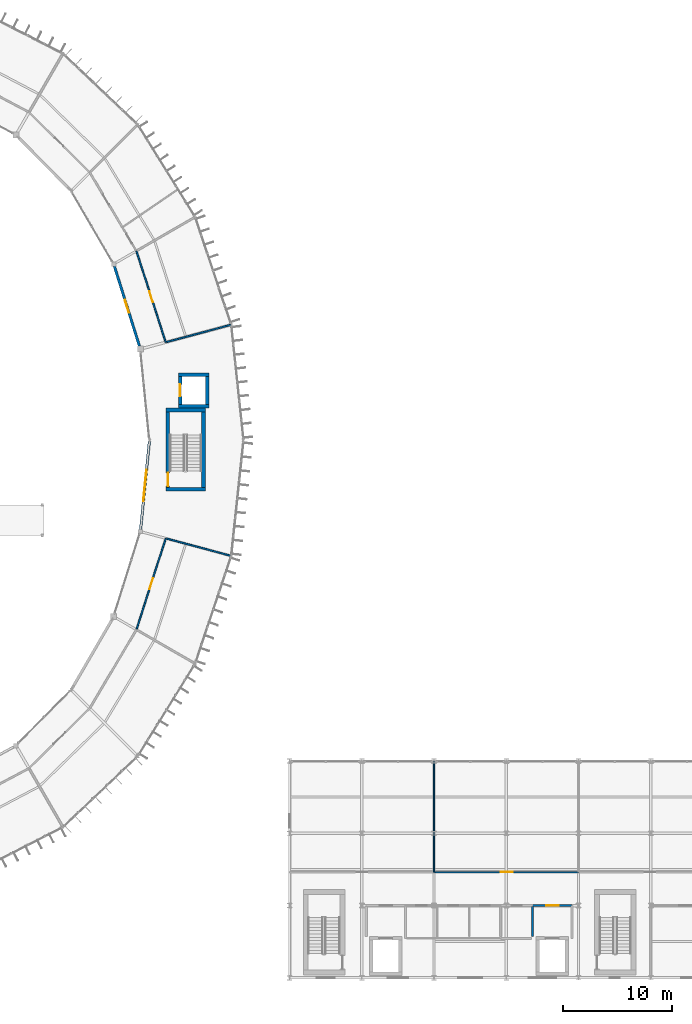
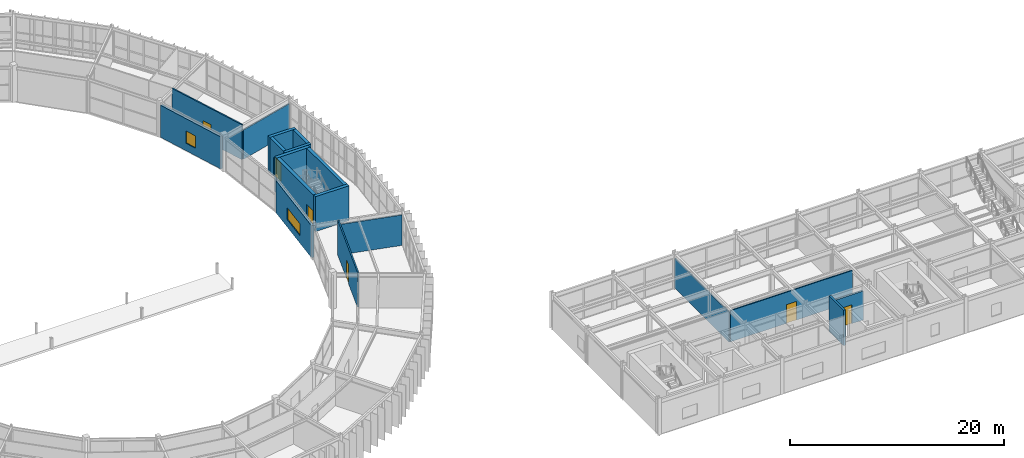
# One storey, part 140 of 157: 18 walls, 6 doors, 2 windows, 8 openings.
"""IFC4 building model written with IfcOpenShell, lengths in metres."""

from ifc_helpers import new_model, si_unit, direction, frame, frame_2d, origin, place, context, subcontext, project, spatial, rectangle, extrude, material, layer, layer_set, type_object, element, fill, save


model = new_model("IFC4")

# Units and contexts
model_context = context("Model", 3, precision=1e-05, world=origin(), true_north=direction((0.0, 1.0)))
body_context = subcontext(model_context, "Body", "Model", "MODEL_VIEW")
ifc_project = project(units=[si_unit("LENGTHUNIT", "METRE"), si_unit("AREAUNIT", "SQUARE_METRE"), si_unit("VOLUMEUNIT", "CUBIC_METRE"), si_unit("PLANEANGLEUNIT", "RADIAN"), si_unit("MASSUNIT", "GRAM", prefix="KILO")], contexts=[model_context])

# Site, building, storey
site_placement = place(None, origin())
site = spatial("IfcSite", under=ifc_project, at=site_placement, CompositionType="ELEMENT")
building_placement = place(site_placement, origin())
building = spatial("IfcBuilding", under=site, at=building_placement, Name="Karori Crest Natural Sciences Institute", CompositionType="ELEMENT")
storey_placement = place(building_placement, frame((0.0, 0.0, 13.300048828125)))
storey = spatial("IfcBuildingStorey", under=building, at=storey_placement, Name="L03", CompositionType="ELEMENT", Elevation=13.300048828125)

# Walls
ifc_material_1 = material(Name="Concrete 50 MPa", Category="concrete")
ifc_layer_1 = layer(ifc_material_1, 0.35009765625, Name="Concrete 50 MPa")
ifc_layer_set_1 = layer_set([ifc_layer_1], Name="Concrete 50 MPa")
wall_type_1 = type_object("IfcWallType", Name="IWT-02", PredefinedType="SHEAR", material=ifc_layer_set_1)
for number, where, z_axis, x_axis, name in (
    (1, (92.300048828125, 45.425048828125, 0.0), (0.0, 0.0, 1.0), (1.0, 0.0, 0.0), "Shear wall IW-0017"),
    (2, (92.300048828125, 52.675048828125, 0.0), (0.0, 0.0, 1.0), (1.0, 0.0, 0.0), "Shear wall IW-0018"),
):
    element("IfcWall", number, at=place(storey_placement, frame(where, z_axis=z_axis, x_axis=x_axis)), inside=storey, type_object=wall_type_1, Name=name, PredefinedType="SHEAR", context=body_context, shape_type="SweptSolid", body=[
        extrude(rectangle(XDim=3.599853515625, YDim=0.35009765625, at=frame_2d((1.7998046875, 0.0))), origin(), (0.0, 0.0, 1.0), 3.97998046875),
    ])

# Wall, opening, door
wall_1_placement = place(storey_placement, frame((92.47509765625, 45.60205078125, 0.0), z_axis=(0.0, 0.0, 1.0), x_axis=(0.0, 1.0, 0.0)))
wall_1 = element("IfcWall", 3, at=wall_1_placement, inside=storey, type_object=wall_type_1, Name="Shear wall IW-0019", PredefinedType="SHEAR", context=body_context, shape_type="SweptSolid", body=[
    extrude(rectangle(XDim=6.89599609375, YDim=0.35009765625, at=frame_2d((3.447998046875, 0.0))), origin(), (0.0, 0.0, 1.0), 3.97998046875),
])
opening_1_placement = place(wall_1_placement, frame((0.1201171875, 0.0, 0.0)))
opening_1 = element("IfcOpeningElement", 4, at=opening_1_placement, cuts=wall_1, Name="Opening ID-0005", PredefinedType="OPENING", context=body_context, shape_type="SweptSolid", body=[
    extrude(rectangle(XDim=1.199951171875, YDim=2.14990234375, at=frame_2d((0.60009765625, 1.074951171875))), frame((0.0, 0.18505859375, 0.0), z_axis=(0.0, -1.0, 0.0), x_axis=(1.0, 0.0, 0.0)), (0.0, 0.0, 1.0), 0.3701171875),
])
ifc_material_2 = material(Name="Stainless steel 316 and fire-rated timber", Category="steel")
door_type_1 = type_object("IfcDoorType", Name="IDT-01", OperationType="NOTDEFINED", PredefinedType="DOOR", material=ifc_material_2)
door_1_placement = place(opening_1_placement, origin())
door_1 = element("IfcDoor", 5, at=door_1_placement, inside=storey, type_object=door_type_1, Name="Stair ST-01 fire door ID-0005", OperationType="SINGLE_SWING_LEFT", OverallHeight=2.14990234375, OverallWidth=1.199951171875, PredefinedType="DOOR", context=body_context, shape_type="SweptSolid", body=[
    extrude(rectangle(XDim=1.199951171875, YDim=2.14990234375, at=frame_2d((0.60009765625, 1.074951171875))), frame((0.0, 0.02490234375, 0.0), z_axis=(0.0, -1.0, 0.0), x_axis=(1.0, 0.0, 0.0)), (0.0, 0.0, 1.0), 0.050048828125),
])
fill(opening_1, door_1)

# Walls
wall_2_placement = place(storey_placement, frame((95.72509765625, 45.60205078125, 0.0), z_axis=(0.0, 0.0, 1.0), x_axis=(0.0, 1.0, 0.0)))
element("IfcWall", 6, at=wall_2_placement, inside=storey, type_object=wall_type_1, Name="Shear wall IW-0020", PredefinedType="SHEAR", context=body_context, shape_type="SweptSolid", body=[
    extrude(rectangle(XDim=6.89599609375, YDim=0.35009765625, at=frame_2d((3.447998046875, 0.0))), origin(), (0.0, 0.0, 1.0), 3.97998046875),
])
ifc_layer_2 = layer(ifc_material_1, 0.320068359375, Name="Concrete 50 MPa")
ifc_layer_set_2 = layer_set([ifc_layer_2], Name="Concrete 50 MPa")
wall_type_2 = type_object("IfcWallType", Name="IWT-03", PredefinedType="SHEAR", material=ifc_layer_set_2)
for number, where, z_axis, x_axis, name in (
    (7, (93.445068359375, 53.030029296875, 0.0), (0.0, 0.0, 1.0), (1.0, 0.0, 0.0), "Shear wall IW-0417"),
    (8, (93.445068359375, 55.89501953125, 0.0), (0.0, 0.0, 1.0), (1.0, 0.0, 0.0), "Shear wall IW-0418"),
):
    element("IfcWall", number, at=place(storey_placement, frame(where, z_axis=z_axis, x_axis=x_axis)), inside=storey, type_object=wall_type_2, Name=name, PredefinedType="SHEAR", context=body_context, shape_type="SweptSolid", body=[
        extrude(rectangle(XDim=2.809814453125, YDim=0.320068359375, at=frame_2d((1.40478515625, 0.0))), origin(), (0.0, 0.0, 1.0), 3.97998046875),
    ])

# Wall, opening, door
wall_3_placement = place(storey_placement, frame((93.60498046875, 53.19189453125, 0.0), z_axis=(0.0, 0.0, 1.0), x_axis=(0.0, 1.0, 0.0)))
wall_3 = element("IfcWall", 9, at=wall_3_placement, inside=storey, type_object=wall_type_2, Name="Shear wall IW-0419", PredefinedType="SHEAR", context=body_context, shape_type="SweptSolid", body=[
    extrude(rectangle(XDim=2.541015625, YDim=0.320068359375, at=frame_2d((1.2705078125, 0.0))), origin(), (0.0, 0.0, 1.0), 3.97998046875),
])
opening_2_placement = place(wall_3_placement, frame((0.720458984375, 0.0, 0.0)))
opening_2 = element("IfcOpeningElement", 10, at=opening_2_placement, cuts=wall_3, Name="Opening LD-0029", PredefinedType="OPENING", context=body_context, shape_type="SweptSolid", body=[
    extrude(rectangle(XDim=1.10009765625, YDim=2.14990234375, at=frame_2d((0.550048828125, 1.074951171875))), frame((0.0, 0.169921875, 0.0), z_axis=(0.0, -1.0, 0.0), x_axis=(1.0, 0.0, 0.0)), (0.0, 0.0, 1.0), 0.340087890625),
])
door_type_2 = type_object("IfcDoorType", Name="LDT-01", OperationType="SLIDING_TO_LEFT", PredefinedType="DOOR", material=ifc_material_2)
door_2_placement = place(opening_2_placement, origin())
door_2 = element("IfcDoor", 11, at=door_2_placement, inside=storey, type_object=door_type_2, Name="Lift LP-01 landing door LD-0029", OperationType="SLIDING_TO_LEFT", OverallHeight=2.14990234375, OverallWidth=1.10009765625, PredefinedType="DOOR", context=body_context, shape_type="SweptSolid", body=[
    extrude(rectangle(XDim=1.10009765625, YDim=2.14990234375, at=frame_2d((0.550048828125, 1.074951171875))), frame((0.0, 0.02490234375, 0.0), z_axis=(0.0, -1.0, 0.0), x_axis=(1.0, 0.0, 0.0)), (0.0, 0.0, 1.0), 0.050048828125),
])
fill(opening_2, door_2)

# Wall
wall_4_placement = place(storey_placement, frame((96.094970703125, 53.19189453125, 0.0), z_axis=(0.0, 0.0, 1.0), x_axis=(0.0, 1.0, 0.0)))
element("IfcWall", 12, at=wall_4_placement, inside=storey, type_object=wall_type_2, Name="Shear wall IW-0420", PredefinedType="SHEAR", context=body_context, shape_type="SweptSolid", body=[
    extrude(rectangle(XDim=2.541015625, YDim=0.320068359375, at=frame_2d((1.2705078125, 0.0))), origin(), (0.0, 0.0, 1.0), 3.97998046875),
])

# Wall, opening, door
ifc_material_3 = material(Name="Concrete 40 MPa", Category="concrete")
ifc_layer_3 = layer(ifc_material_3, 0.199951171875, Name="Concrete 40 MPa")
ifc_layer_set_3 = layer_set([ifc_layer_3], Name="Concrete 40 MPa")
wall_type_3 = type_object("IfcWallType", Name="IWT-04", PredefinedType="SOLIDWALL", material=ifc_layer_set_3)
wall_5_placement = place(storey_placement, frame((125.800048828125, 7.39990234375, 0.0), z_axis=(0.0, 0.0, 1.0), x_axis=(1.0, 0.0, 0.0)))
wall_5 = element("IfcWall", 13, at=wall_5_placement, inside=storey, type_object=wall_type_3, Name="Partition wall IW-0665", PredefinedType="SOLIDWALL", context=body_context, shape_type="SweptSolid", body=[
    extrude(rectangle(XDim=3.599853515625, YDim=0.199951171875, at=frame_2d((1.7998046875, 0.0))), origin(), (0.0, 0.0, 1.0), 3.29296875),
])
opening_3_placement = place(wall_5_placement, frame((1.22509765625, 0.0, 0.0)))
opening_3 = element("IfcOpeningElement", 14, at=opening_3_placement, cuts=wall_5, Name="Opening ID-0125", PredefinedType="OPENING", context=body_context, shape_type="SweptSolid", body=[
    extrude(rectangle(XDim=1.14990234375, YDim=2.14990234375, at=frame_2d((0.574951171875, 1.074951171875))), frame((0.0, 0.10986328125, 0.0), z_axis=(0.0, -1.0, 0.0), x_axis=(1.0, 0.0, 0.0)), (0.0, 0.0, 1.0), 0.219970703125),
])
door_type_3 = type_object("IfcDoorType", Name="IDT-02", OperationType="NOTDEFINED", PredefinedType="DOOR", material=ifc_material_2)
door_3_placement = place(opening_3_placement, origin())
door_3 = element("IfcDoor", 15, at=door_3_placement, inside=storey, type_object=door_type_3, Name="Firefighting Lift Lobby East door ID-0125", OperationType="SINGLE_SWING_RIGHT", OverallHeight=2.14990234375, OverallWidth=1.14990234375, PredefinedType="DOOR", context=body_context, shape_type="SweptSolid", body=[
    extrude(rectangle(XDim=1.14990234375, YDim=2.14990234375, at=frame_2d((0.574951171875, 1.074951171875))), frame((0.0, 0.02490234375, 0.0), z_axis=(0.0, -1.0, 0.0), x_axis=(1.0, 0.0, 0.0)), (0.0, 0.0, 1.0), 0.050048828125),
])
fill(opening_3, door_3)

# Wall
wall_6_placement = place(storey_placement, frame((125.800048828125, 4.58203125, 0.0), z_axis=(0.0, 0.0, 1.0), x_axis=(0.0, 1.0, 0.0)))
element("IfcWall", 16, at=wall_6_placement, inside=storey, type_object=wall_type_3, Name="Partition wall IW-0666", PredefinedType="SOLIDWALL", context=body_context, shape_type="SweptSolid", body=[
    extrude(rectangle(XDim=2.716064453125, YDim=0.199951171875, at=frame_2d((1.35791015625, 0.0))), origin(), (0.0, 0.0, 1.0), 4.02001953125),
])

# Wall, opening, door
ifc_material_4 = material(Name="Laboratory acoustic drywall partition")
ifc_layer_4 = layer(ifc_material_4, 0.139892578125, Name="Laboratory acoustic drywall partition")
ifc_layer_set_4 = layer_set([ifc_layer_4], Name="Laboratory acoustic drywall partition")
wall_type_4 = type_object("IfcWallType", Name="IWT-07", PredefinedType="PARTITIONING", material=ifc_layer_set_4)
wall_7_placement = place(storey_placement, frame((92.286865234375, 58.85498046875, 0.0), z_axis=(0.0, 0.0, 1.0), x_axis=(-0.30548522006, 0.952196818061, 0.0)))
wall_7 = element("IfcWall", 17, at=wall_7_placement, inside=storey, type_object=wall_type_4, Name="Partition wall IW-1288", PredefinedType="PARTITIONING", context=body_context, shape_type="SweptSolid", body=[
    extrude(rectangle(XDim=8.763916015625, YDim=0.139892578125, at=frame_2d((4.3818359375, 0.0))), origin(), (0.0, 0.0, 1.0), 3.97998046875),
])
opening_4_placement = place(wall_7_placement, frame((3.85693359375, 0.0, 0.0)))
opening_4 = element("IfcOpeningElement", 18, at=opening_4_placement, cuts=wall_7, Name="Opening ID-0399", PredefinedType="OPENING", context=body_context, shape_type="SweptSolid", body=[
    extrude(rectangle(XDim=1.050048828125, YDim=2.14990234375, at=frame_2d((0.52490234375, 1.074951171875))), frame((0.0, 0.080078125, 0.0), z_axis=(0.0, -1.0, 0.0), x_axis=(1.0, 0.0, 0.0)), (0.0, 0.0, 1.0), 0.159912109375),
])
door_type_4 = type_object("IfcDoorType", Name="IDT-03", OperationType="NOTDEFINED", PredefinedType="DOOR", material=ifc_material_2)
door_4_placement = place(opening_4_placement, origin())
door_4 = element("IfcDoor", 19, at=door_4_placement, inside=storey, type_object=door_type_4, Name="Mass Spectrometry Instrument Room door ID-0399", OperationType="SINGLE_SWING_RIGHT", OverallHeight=2.14990234375, OverallWidth=1.050048828125, PredefinedType="DOOR", context=body_context, shape_type="SweptSolid", body=[
    extrude(rectangle(XDim=1.050048828125, YDim=2.14990234375, at=frame_2d((0.52490234375, 1.074951171875))), frame((0.0, 0.02490234375, 0.0), z_axis=(0.0, -1.0, 0.0), x_axis=(1.0, 0.0, 0.0)), (0.0, 0.0, 1.0), 0.050048828125),
])
fill(opening_4, door_4)

# Wall
wall_8_placement = place(storey_placement, frame((92.364013671875, 58.875732421875, 0.0), z_axis=(0.0, 0.0, 1.0), x_axis=(0.96591927772, 0.258843483457, 0.0)))
element("IfcWall", 20, at=wall_8_placement, inside=storey, type_object=wall_type_4, Name="Partition wall IW-1289", PredefinedType="PARTITIONING", context=body_context, shape_type="SweptSolid", body=[
    extrude(rectangle(XDim=6.06005859375, YDim=0.139892578125, at=frame_2d((3.030029296875, 0.0))), origin(), (0.0, 0.0, 1.0), 3.322998046875),
])

# Wall, opening, door
wall_9_placement = place(storey_placement, frame((89.632080078125, 32.670166015625, 0.0), z_axis=(0.0, 0.0, 1.0), x_axis=(0.305495322231, 0.952193577008, 0.0)))
wall_9 = element("IfcWall", 21, at=wall_9_placement, inside=storey, type_object=wall_type_4, Name="Partition wall IW-1325", PredefinedType="PARTITIONING", context=body_context, shape_type="SweptSolid", body=[
    extrude(rectangle(XDim=8.690185546875, YDim=0.139892578125, at=frame_2d((4.34521484375, 0.0))), origin(), (0.0, 0.0, 1.0), 3.97998046875),
])
opening_5_placement = place(wall_9_placement, frame((3.820068359375, 0.0, 0.0)))
opening_5 = element("IfcOpeningElement", 22, at=opening_5_placement, cuts=wall_9, Name="Opening ID-0414", PredefinedType="OPENING", context=body_context, shape_type="SweptSolid", body=[
    extrude(rectangle(XDim=1.050048828125, YDim=2.14990234375, at=frame_2d((0.52490234375, 1.074951171875))), frame((0.0, 0.080078125, 0.0), z_axis=(0.0, -1.0, 0.0), x_axis=(1.0, 0.0, 0.0)), (0.0, 0.0, 1.0), 0.159912109375),
])
door_5_placement = place(opening_5_placement, origin())
door_5 = element("IfcDoor", 23, at=door_5_placement, inside=storey, type_object=door_type_4, Name="Atmospheric Physics Laboratory door ID-0414", OperationType="SINGLE_SWING_RIGHT", OverallHeight=2.14990234375, OverallWidth=1.050048828125, PredefinedType="DOOR", context=body_context, shape_type="SweptSolid", body=[
    extrude(rectangle(XDim=1.050048828125, YDim=2.14990234375, at=frame_2d((0.52490234375, 1.074951171875))), frame((0.0, 0.02490234375, 0.0), z_axis=(0.0, -1.0, 0.0), x_axis=(1.0, 0.0, 0.0)), (0.0, 0.0, 1.0), 0.050048828125),
])
fill(opening_5, door_5)

# Walls
wall_10_placement = place(storey_placement, frame((92.364013671875, 40.92431640625, 0.0), z_axis=(0.0, 0.0, 1.0), x_axis=(0.96591927772, -0.258843483457, 0.0)))
element("IfcWall", 24, at=wall_10_placement, inside=storey, type_object=wall_type_4, Name="Partition wall IW-1326", PredefinedType="PARTITIONING", context=body_context, shape_type="SweptSolid", body=[
    extrude(rectangle(XDim=6.06005859375, YDim=0.139892578125, at=frame_2d((3.030029296875, 0.0))), origin(), (0.0, 0.0, 1.0), 3.46484375),
])
ifc_material_5 = material(Name="Write-up office acoustic partition")
ifc_layer_5 = layer(ifc_material_5, 0.1201171875, Name="Write-up office acoustic partition")
ifc_layer_set_5 = layer_set([ifc_layer_5], Name="Write-up office acoustic partition")
wall_type_5 = type_object("IfcWallType", Name="IWT-08", PredefinedType="PARTITIONING", material=ifc_layer_set_5)
wall_11_placement = place(storey_placement, frame((116.800048828125, 10.449951171875, 0.0), z_axis=(0.0, 0.0, 1.0), x_axis=(0.0, 1.0, 0.0)))
element("IfcWall", 25, at=wall_11_placement, inside=storey, type_object=wall_type_5, Name="Partition wall IW-0684", PredefinedType="PARTITIONING", context=body_context, shape_type="SweptSolid", body=[
    extrude(rectangle(XDim=10.150146484375, YDim=0.1201171875, at=frame_2d((5.0751953125, 0.0))), origin(), (0.0, 0.0, 1.0), 3.3720703125),
])

# Wall, opening, door
wall_12_placement = place(storey_placement, frame((116.862060546875, 10.449951171875, 0.0), z_axis=(0.0, 0.0, 1.0), x_axis=(1.0, 0.0, 0.0)))
wall_12 = element("IfcWall", 26, at=wall_12_placement, inside=storey, type_object=wall_type_5, Name="Partition wall IW-0685", PredefinedType="PARTITIONING", context=body_context, shape_type="SweptSolid", body=[
    extrude(rectangle(XDim=13.137939453125, YDim=0.1201171875, at=frame_2d((6.56884765625, 0.0))), origin(), (0.0, 0.0, 1.0), 3.5458984375),
])
opening_6_placement = place(wall_12_placement, frame((6.029052734375, 0.0, 0.0)))
opening_6 = element("IfcOpeningElement", 27, at=opening_6_placement, cuts=wall_12, Name="Opening ID-0133", PredefinedType="OPENING", context=body_context, shape_type="SweptSolid", body=[
    extrude(rectangle(XDim=1.080078125, YDim=2.1201171875, at=frame_2d((0.5400390625, 1.06005859375))), frame((0.0, 0.070068359375, 0.0), z_axis=(0.0, -1.0, 0.0), x_axis=(1.0, 0.0, 0.0)), (0.0, 0.0, 1.0), 0.14013671875),
])
ifc_material_6 = material(Name="Anodised aluminium and acoustic timber", Category="wood")
door_type_5 = type_object("IfcDoorType", Name="IDT-12", OperationType="NOTDEFINED", PredefinedType="DOOR", material=ifc_material_6)
door_6_placement = place(opening_6_placement, origin())
door_6 = element("IfcDoor", 28, at=door_6_placement, inside=storey, type_object=door_type_5, Name="Marine Systems Studio door ID-0133", OperationType="SINGLE_SWING_RIGHT", OverallHeight=2.1201171875, OverallWidth=1.080078125, PredefinedType="DOOR", context=body_context, shape_type="SweptSolid", body=[
    extrude(rectangle(XDim=1.080078125, YDim=2.1201171875, at=frame_2d((0.5400390625, 1.06005859375))), frame((0.0, 0.02490234375, 0.0), z_axis=(0.0, -1.0, 0.0), x_axis=(1.0, 0.0, 0.0)), (0.0, 0.0, 1.0), 0.050048828125),
])
fill(opening_6, door_6)

# Wall, opening, window
ifc_material_7 = material(Name="Precast concrete 40 MPa", Category="concrete")
ifc_layer_6 = layer(ifc_material_7, 0.239990234375, Name="Precast concrete 40 MPa")
ifc_layer_set_6 = layer_set([ifc_layer_6], Name="Precast concrete 40 MPa")
wall_type_6 = type_object("IfcWallType", Name="WT-04", PredefinedType="SOLIDWALL", material=ifc_layer_set_6)
wall_13_placement = place(storey_placement, frame((89.8828125, 58.507080078125, 0.0), z_axis=(0.0, 0.0, 1.0), x_axis=(-0.299452933333, 0.954111073575, 0.0)))
wall_13 = element("IfcWall", 29, at=wall_13_placement, inside=storey, type_object=wall_type_6, Name="Exterior wall EW-0064", PredefinedType="SOLIDWALL", context=body_context, shape_type="SweptSolid", body=[
    extrude(rectangle(XDim=7.645751953125, YDim=0.239990234375, at=frame_2d((3.82275390625, 0.0))), origin(), (0.0, 0.0, 1.0), 3.64990234375),
])
opening_7_placement = place(wall_13_placement, frame((3.197998046875, 0.0, 0.85009765625)))
opening_7 = element("IfcOpeningElement", 30, at=opening_7_placement, cuts=wall_13, Name="Opening WN-0022", PredefinedType="OPENING", context=body_context, shape_type="SweptSolid", body=[
    extrude(rectangle(XDim=1.25, YDim=1.39990234375, at=frame_2d((0.625, 0.699951171875))), frame((0.0, 0.1298828125, 0.0), z_axis=(0.0, -1.0, 0.0), x_axis=(1.0, 0.0, 0.0)), (0.0, 0.0, 1.0), 0.260009765625),
])
ifc_material_8 = material(Name="Double low-E laminated glass", Category="glass")
window_type_1 = type_object("IfcWindowType", Name="WNT-02", PartitioningType="SINGLE_PANEL", PredefinedType="WINDOW", material=ifc_material_8)
window_1_placement = place(opening_7_placement, origin())
window_1 = element("IfcWindow", 31, at=window_1_placement, inside=storey, type_object=window_type_1, Name="Window WN-0022", OverallHeight=1.39990234375, OverallWidth=1.25, PartitioningType="SINGLE_PANEL", PredefinedType="WINDOW", context=body_context, shape_type="SweptSolid", body=[
    extrude(rectangle(XDim=1.25, YDim=1.39990234375, at=frame_2d((0.625, 0.699951171875))), frame((0.0, 0.030029296875, 0.0), z_axis=(0.0, -1.0, 0.0), x_axis=(1.0, 0.0, 0.0)), (0.0, 0.0, 1.0), 0.06005859375),
])
fill(opening_7, window_1)

wall_14_placement = place(storey_placement, frame((89.98828125, 41.763916015625, 0.0), z_axis=(0.0, 0.0, 1.0), x_axis=(0.099282146725, 0.995059322524, 0.0)))
wall_14 = element("IfcWall", 32, at=wall_14_placement, inside=storey, type_object=wall_type_6, Name="Exterior wall EW-0075", PredefinedType="SOLIDWALL", context=body_context, shape_type="SweptSolid", body=[
    extrude(rectangle(XDim=8.072998046875, YDim=0.239990234375, at=frame_2d((4.03662109375, 0.0))), origin(), (0.0, 0.0, 1.0), 3.64990234375),
])
opening_8_placement = place(wall_14_placement, frame((2.58642578125, 0.0, 0.85009765625)))
opening_8 = element("IfcOpeningElement", 33, at=opening_8_placement, cuts=wall_14, Name="Opening WN-0029", PredefinedType="OPENING", context=body_context, shape_type="SweptSolid", body=[
    extrude(rectangle(XDim=2.89990234375, YDim=1.35009765625, at=frame_2d((1.449951171875, 0.675048828125))), frame((0.0, 0.1298828125, 0.0), z_axis=(0.0, -1.0, 0.0), x_axis=(1.0, 0.0, 0.0)), (0.0, 0.0, 1.0), 0.260009765625),
])
window_type_2 = type_object("IfcWindowType", Name="WNT-24", PartitioningType="SINGLE_PANEL", PredefinedType="WINDOW", material=ifc_material_8)
window_2_placement = place(opening_8_placement, origin())
window_2 = element("IfcWindow", 34, at=window_2_placement, inside=storey, type_object=window_type_2, Name="Window WN-0029", OverallHeight=1.35009765625, OverallWidth=2.89990234375, PartitioningType="SINGLE_PANEL", PredefinedType="WINDOW", context=body_context, shape_type="SweptSolid", body=[
    extrude(rectangle(XDim=2.89990234375, YDim=1.35009765625, at=frame_2d((1.449951171875, 0.675048828125))), frame((0.0, 0.030029296875, 0.0), z_axis=(0.0, -1.0, 0.0), x_axis=(1.0, 0.0, 0.0)), (0.0, 0.0, 1.0), 0.06005859375),
])
fill(opening_8, window_2)

save(model, "model.ifc")
